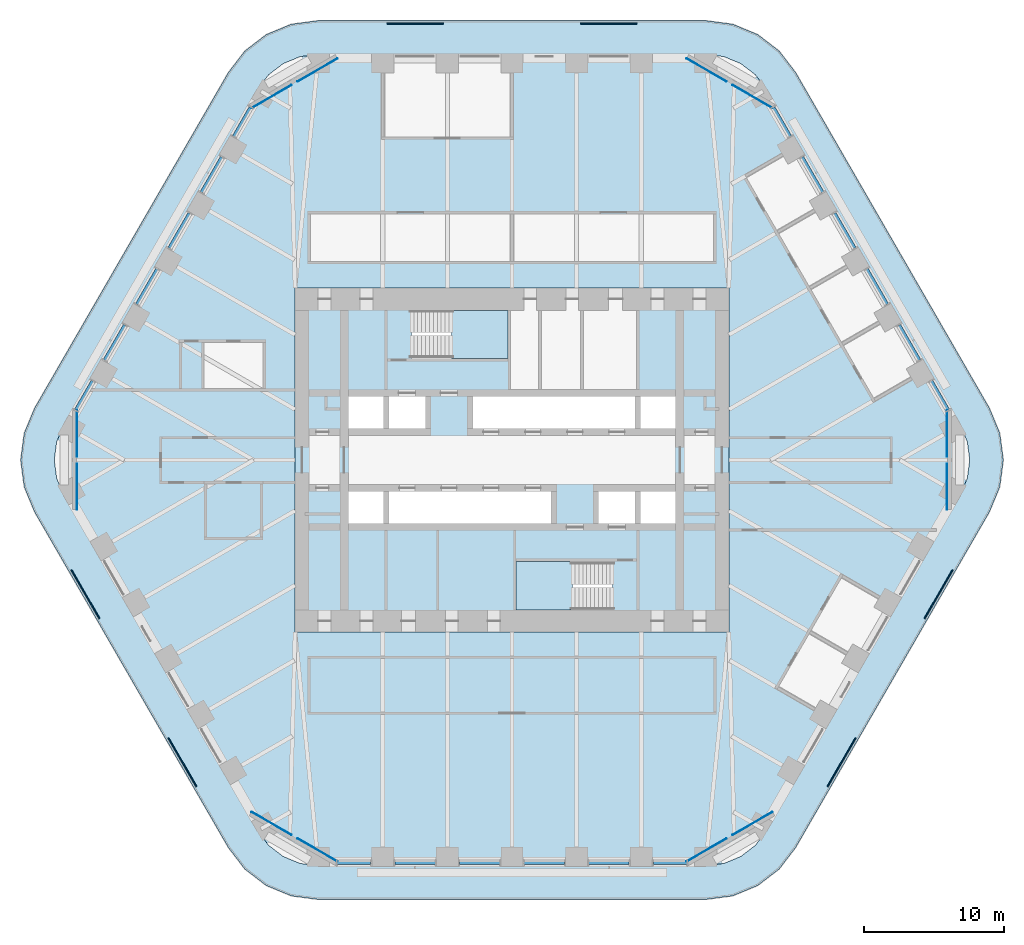
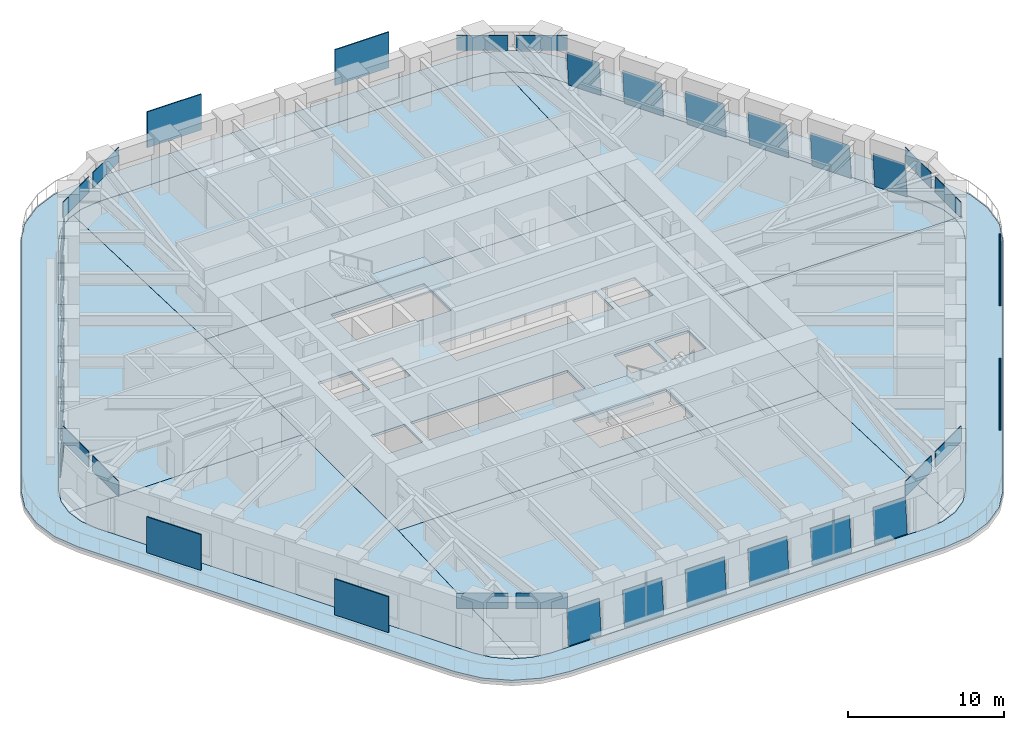
# One storey, part 13 of 20: 36 plates, 10 slabs, 20 elements without a shape of their own.
"""IFC4 building model written with IfcOpenShell, lengths in metres."""

from ifc_helpers import new_model, si_unit, direction, frame, origin, origin_2d, place, context, subcontext, project, spatial, polyline, rectangle, outline, extrude, material, layer, layer_set, type_object, element, aggregate, save


model = new_model("IFC4")

# Units and contexts
model_context = context("Model", 3, precision=1e-05, world=origin(), true_north=direction((0.0, 1.0)))
body_context = subcontext(model_context, "Body", "Model", "MODEL_VIEW")
ifc_project = project(units=[si_unit("LENGTHUNIT", "METRE"), si_unit("AREAUNIT", "SQUARE_METRE"), si_unit("VOLUMEUNIT", "CUBIC_METRE"), si_unit("PLANEANGLEUNIT", "RADIAN"), si_unit("MASSUNIT", "GRAM", prefix="KILO")], contexts=[model_context])

# Site, building, storey
site_placement = place(None, origin())
site = spatial("IfcSite", under=ifc_project, at=site_placement, CompositionType="ELEMENT")
building_placement = place(site_placement, origin())
building = spatial("IfcBuilding", under=site, at=building_placement, Name="Tarfa Lantern Tower", CompositionType="ELEMENT")
storey_placement = place(building_placement, frame((0.0, 0.0, 232.300048828125)))
storey = spatial("IfcBuildingStorey", under=building, at=storey_placement, Name="L52", CompositionType="ELEMENT", Elevation=232.300048828125)

# Slab
ifc_material_1 = material(Name="Concrete C40/50", Category="concrete")
ifc_layer_1 = layer(ifc_material_1, 0.199951171875)
ifc_layer_set_1 = layer_set([ifc_layer_1], Name="BS2 BALCONY SLAB 200")
slab_type_1 = type_object("IfcSlabType", Name="BS2 BALCONY SLAB 200", PredefinedType="FLOOR", material=ifc_layer_set_1)
slab_1_placement = place(storey_placement, frame((0.0, 0.0, -0.199951171875)))
element("IfcSlab", 1, at=slab_1_placement, inside=storey, type_object=slab_type_1, Name="Balcony L52", PredefinedType="FLOOR", context=body_context, shape_type="SweptSolid", body=[
    extrude(outline(polyline([(34.121337890625, 3.699951171875), (20.264892578125, 27.699951171875), (19.089111328125, 29.232666015625), (17.556396484375, 30.40869140625), (15.771728515625, 31.14794921875), (13.8564453125, 31.39990234375), (-13.8564453125, 31.39990234375), (-15.771728515625, 31.14794921875), (-17.556396484375, 30.40869140625), (-19.089111328125, 29.232666015625), (-20.264892578125, 27.699951171875), (-34.121337890625, 3.699951171875), (-34.860595703125, 1.915283203125), (-35.11279296875, 0.0), (-34.860595703125, -1.915283203125), (-34.121337890625, -3.699951171875), (-20.264892578125, -27.699951171875), (-19.089111328125, -29.232666015625), (-17.556396484375, -30.40869140625), (-15.771728515625, -31.14794921875), (-13.8564453125, -31.39990234375), (13.8564453125, -31.39990234375), (15.771728515625, -31.14794921875), (17.556396484375, -30.40869140625), (19.089111328125, -29.232666015625), (20.264892578125, -27.699951171875), (34.121337890625, -3.699951171875), (34.860595703125, -1.915283203125), (35.11279296875, 0.0), (34.860595703125, 1.915283203125), (34.121337890625, 3.699951171875)]), holes=[polyline([(32.04296875, 2.5), (18.1865234375, 26.5), (17.391845703125, 27.53564453125), (16.3564453125, 28.330078125), (15.150390625, 28.82958984375), (13.8564453125, 29.0), (-13.8564453125, 29.0), (-15.150390625, 28.82958984375), (-16.3564453125, 28.330078125), (-17.391845703125, 27.53564453125), (-18.1865234375, 26.5), (-32.04296875, 2.5), (-32.54248046875, 1.294189453125), (-32.712890625, 0.0), (-32.54248046875, -1.294189453125), (-32.04296875, -2.5), (-18.1865234375, -26.5), (-17.391845703125, -27.53564453125), (-16.3564453125, -28.330078125), (-15.150390625, -28.82958984375), (-13.8564453125, -29.0), (13.8564453125, -29.0), (15.150390625, -28.82958984375), (16.3564453125, -28.330078125), (17.391845703125, -27.53564453125), (18.1865234375, -26.5), (32.04296875, -2.5), (32.54248046875, -1.294189453125), (32.712890625, 0.0), (32.54248046875, 1.294189453125), (32.04296875, 2.5)])]), origin(), (0.0, 0.0, 1.0), 0.199951171875),
])

# Curtain wall, plate
ifc_material_2 = material(Name="Aluminium framed curtain wall", Category="aluminium")
curtain_wall_type = type_object("IfcCurtainWallType", Name="CW3 CANTED GLAZING HIGH ZONE 2800", PredefinedType="USERDEFINED", material=ifc_material_2)
curtain_wall_1_placement = place(storey_placement, origin())
curtain_wall_1 = element("IfcCurtainWall", 2, at=curtain_wall_1_placement, inside=storey, type_object=curtain_wall_type, Name="CW3 NE L52", ObjectType="CURTAIN WALL", PredefinedType="USERDEFINED")
ifc_material_3 = material(Name="Laminated double glazing", Category="glass")
ifc_layer_2 = layer(ifc_material_3, 0.028076171875)
ifc_layer_set_2 = layer_set([ifc_layer_2], Name="CWP1 DOUBLE GLAZED PANEL")
plate_type_1 = type_object("IfcPlateType", Name="CWP1 DOUBLE GLAZED PANEL", PredefinedType="CURTAIN_PANEL", material=ifc_layer_set_2)
plate_1_placement = place(storey_placement, frame((31.27392578125, 3.632080078125, 0.0), z_axis=(0.862590879632, 0.49802051907, 0.08895244213), x_axis=(-0.500002895388, 0.866023732116, 3.920695e-06)))
plate_1 = element("IfcPlate", 3, at=plate_1_placement, type_object=plate_type_1, Name="CW3 panel 1.1", PredefinedType="CURTAIN_PANEL", context=body_context, shape_type="SweptSolid", body=[
    extrude(outline(polyline([(0.0, 0.0), (2.3889646662805304, 0.0), (2.388973104018276, 2.7457383666587645), (0.00013050875712717534, 2.7457571735370183), (0.0, 0.0)])), origin(), (0.0, 0.0, -1.0), 0.028076171875),
])
aggregate(curtain_wall_1, [plate_1])

curtain_wall_2_placement = place(storey_placement, origin())
curtain_wall_2 = element("IfcCurtainWall", 4, at=curtain_wall_2_placement, inside=storey, type_object=curtain_wall_type, Name="CW3 NE L52", ObjectType="CURTAIN WALL", PredefinedType="USERDEFINED")
plate_2_placement = place(storey_placement, frame((29.21435546875, 7.19921875, 0.0), z_axis=(0.862608084862, 0.497993601371, 0.088936296998), x_axis=(-0.499974988357, 0.86603984378, 1.871581e-06)))
plate_2 = element("IfcPlate", 5, at=plate_2_placement, type_object=plate_type_1, Name="CW3 panel 1.1", PredefinedType="CURTAIN_PANEL", context=body_context, shape_type="SweptSolid", body=[
    extrude(outline(polyline([(0.0, 0.0), (2.8887115015454805, 0.0), (2.888706468215615, 2.745738368013193), (-0.0002164688386004309, 2.745749224345834), (0.0, 0.0)])), origin(), (0.0, 0.0, -1.0), 0.028076171875),
])
aggregate(curtain_wall_2, [plate_2])

curtain_wall_3_placement = place(storey_placement, origin())
curtain_wall_3 = element("IfcCurtainWall", 6, at=curtain_wall_3_placement, inside=storey, type_object=curtain_wall_type, Name="CW3 NE L52", ObjectType="CURTAIN WALL", PredefinedType="USERDEFINED")
plate_3_placement = place(storey_placement, frame((26.905029296875, 11.19921875, 0.0), z_axis=(0.862608084862, 0.497993601371, 0.088936296998), x_axis=(-0.499974988357, 0.86603984378, 1.871581e-06)))
plate_3 = element("IfcPlate", 7, at=plate_3_placement, type_object=plate_type_1, Name="CW3 panel 1.1", PredefinedType="CURTAIN_PANEL", context=body_context, shape_type="SweptSolid", body=[
    extrude(outline(polyline([(0.0, 0.0), (2.8887115015454805, 0.0), (2.888706468215615, 2.745738368013193), (-0.0002164688386004309, 2.745749224345834), (0.0, 0.0)])), origin(), (0.0, 0.0, -1.0), 0.028076171875),
])
aggregate(curtain_wall_3, [plate_3])

curtain_wall_4_placement = place(storey_placement, origin())
curtain_wall_4 = element("IfcCurtainWall", 8, at=curtain_wall_4_placement, inside=storey, type_object=curtain_wall_type, Name="CW3 NE L52", ObjectType="CURTAIN WALL", PredefinedType="USERDEFINED")
plate_4_placement = place(storey_placement, frame((24.595703125, 15.19921875, 0.0), z_axis=(0.862586905926, 0.498023462202, 0.088974495342), x_axis=(-0.500006931538, 0.866021401807, 5.115485e-06)))
plate_4 = element("IfcPlate", 9, at=plate_4_placement, type_object=plate_type_1, Name="CW3 panel 1.1", PredefinedType="CURTAIN_PANEL", context=body_context, shape_type="SweptSolid", body=[
    extrude(outline(polyline([(0.0, 0.0), (2.8888335737858446, 0.0), (2.8888464169192525, 2.7457383636373036), (-7.651586812238804e-05, 2.7457680373547113), (0.0, 0.0)])), origin(), (0.0, 0.0, -1.0), 0.028076171875),
])
aggregate(curtain_wall_4, [plate_4])

curtain_wall_5_placement = place(storey_placement, origin())
curtain_wall_5 = element("IfcCurtainWall", 10, at=curtain_wall_5_placement, inside=storey, type_object=curtain_wall_type, Name="CW3 NE L52", ObjectType="CURTAIN WALL", PredefinedType="USERDEFINED")
plate_5_placement = place(storey_placement, frame((22.2861328125, 19.19921875, 0.0), z_axis=(0.862608084862, 0.497993601371, 0.088936296998), x_axis=(-0.499974988357, 0.86603984378, 1.871581e-06)))
plate_5 = element("IfcPlate", 11, at=plate_5_placement, type_object=plate_type_1, Name="CW3 panel 1.1", PredefinedType="CURTAIN_PANEL", context=body_context, shape_type="SweptSolid", body=[
    extrude(outline(polyline([(0.0, 0.0), (2.8887115015454805, 0.0), (2.888706468215615, 2.745738368013193), (-0.0002164688386004309, 2.745749224345834), (0.0, 0.0)])), origin(), (0.0, 0.0, -1.0), 0.028076171875),
])
aggregate(curtain_wall_5, [plate_5])

curtain_wall_6_placement = place(storey_placement, origin())
curtain_wall_6 = element("IfcCurtainWall", 12, at=curtain_wall_6_placement, inside=storey, type_object=curtain_wall_type, Name="CW3 NE L52", ObjectType="CURTAIN WALL", PredefinedType="USERDEFINED")
plate_6_placement = place(storey_placement, frame((19.976806640625, 23.19921875, 0.0), z_axis=(0.862601443295, 0.498005105399, 0.088936297549), x_axis=(-0.499986568481, 0.866033158334, 2.263465e-06)))
plate_6 = element("IfcPlate", 13, at=plate_6_placement, type_object=plate_type_1, Name="CW3 panel 1.1", PredefinedType="CURTAIN_PANEL", context=body_context, shape_type="SweptSolid", body=[
    extrude(outline(polyline([(0.0, 0.0), (2.38863116298111, 0.0), (2.38863046583102, 2.745738368017687), (-0.0002121310266364455, 2.74574922468436), (0.0, 0.0)])), origin(), (0.0, 0.0, -1.0), 0.028076171875),
])
aggregate(curtain_wall_6, [plate_6])

curtain_wall_7_placement = place(storey_placement, origin())
curtain_wall_7 = element("IfcCurtainWall", 14, at=curtain_wall_7_placement, inside=storey, type_object=curtain_wall_type, Name="CW3 NW L52", ObjectType="CURTAIN WALL", PredefinedType="USERDEFINED")
plate_7_placement = place(storey_placement, frame((-18.782470703125, 25.267822265625, 0.0), z_axis=(-0.862601443295, 0.498005105399, 0.088936297549), x_axis=(-0.499986568481, -0.866033158334, -2.263465e-06)))
plate_7 = element("IfcPlate", 15, at=plate_7_placement, type_object=plate_type_1, Name="CW3 panel 1.1", PredefinedType="CURTAIN_PANEL", context=body_context, shape_type="SweptSolid", body=[
    extrude(outline(polyline([(0.0, 0.0), (2.38863116298111, 0.0), (2.3888432940077466, 2.74574922468436), (6.971500900574846e-07, 2.745738368017687), (0.0, 0.0)])), origin(), (0.0, 0.0, -1.0), 0.028076171875),
])
aggregate(curtain_wall_7, [plate_7])

curtain_wall_8_placement = place(storey_placement, origin())
curtain_wall_8 = element("IfcCurtainWall", 16, at=curtain_wall_8_placement, inside=storey, type_object=curtain_wall_type, Name="CW3 NW L52", ObjectType="CURTAIN WALL", PredefinedType="USERDEFINED")
plate_8_placement = place(storey_placement, frame((-20.841796875, 21.700927734375, 0.0), z_axis=(-0.862608084862, 0.497993601371, 0.088936296998), x_axis=(-0.499974988357, -0.86603984378, -1.871581e-06)))
plate_8 = element("IfcPlate", 17, at=plate_8_placement, type_object=plate_type_1, Name="CW3 panel 1.1", PredefinedType="CURTAIN_PANEL", context=body_context, shape_type="SweptSolid", body=[
    extrude(outline(polyline([(0.0, 0.0), (2.8887115015454805, 0.0), (2.8889279703840813, 2.745749224345834), (5.03332986517272e-06, 2.745738368013193), (0.0, 0.0)])), origin(), (0.0, 0.0, -1.0), 0.028076171875),
])
aggregate(curtain_wall_8, [plate_8])

curtain_wall_9_placement = place(storey_placement, origin())
curtain_wall_9 = element("IfcCurtainWall", 18, at=curtain_wall_9_placement, inside=storey, type_object=curtain_wall_type, Name="CW3 NW L52", ObjectType="CURTAIN WALL", PredefinedType="USERDEFINED")
plate_9_placement = place(storey_placement, frame((-23.151123046875, 17.700927734375, 0.0), z_axis=(-0.862586905926, 0.498023462202, 0.088974495342), x_axis=(-0.500006931538, -0.866021401807, -5.115485e-06)))
plate_9 = element("IfcPlate", 19, at=plate_9_placement, type_object=plate_type_1, Name="CW3 panel 1.1", PredefinedType="CURTAIN_PANEL", context=body_context, shape_type="SweptSolid", body=[
    extrude(outline(polyline([(0.0, 0.0), (2.8888335737858446, 0.0), (2.8889100896539666, 2.7457680373547113), (-1.284313340832914e-05, 2.745738363637304), (0.0, 0.0)])), origin(), (0.0, 0.0, -1.0), 0.028076171875),
])
aggregate(curtain_wall_9, [plate_9])

curtain_wall_10_placement = place(storey_placement, origin())
curtain_wall_10 = element("IfcCurtainWall", 20, at=curtain_wall_10_placement, inside=storey, type_object=curtain_wall_type, Name="CW3 NW L52", ObjectType="CURTAIN WALL", PredefinedType="USERDEFINED")
plate_10_placement = place(storey_placement, frame((-25.460693359375, 13.700927734375, 0.0), z_axis=(-0.862608084862, 0.497993601371, 0.088936296998), x_axis=(-0.499974988357, -0.86603984378, -1.871581e-06)))
plate_10 = element("IfcPlate", 21, at=plate_10_placement, type_object=plate_type_1, Name="CW3 panel 1.1", PredefinedType="CURTAIN_PANEL", context=body_context, shape_type="SweptSolid", body=[
    extrude(outline(polyline([(0.0, 0.0), (2.8887115015454805, 0.0), (2.8889279703840813, 2.745749224345834), (5.03332986517272e-06, 2.745738368013193), (0.0, 0.0)])), origin(), (0.0, 0.0, -1.0), 0.028076171875),
])
aggregate(curtain_wall_10, [plate_10])

curtain_wall_11_placement = place(storey_placement, origin())
curtain_wall_11 = element("IfcCurtainWall", 22, at=curtain_wall_11_placement, inside=storey, type_object=curtain_wall_type, Name="CW3 NW L52", ObjectType="CURTAIN WALL", PredefinedType="USERDEFINED")
plate_11_placement = place(storey_placement, frame((-27.77001953125, 9.700927734375, 0.0), z_axis=(-0.862608084862, 0.497993601371, 0.088936296998), x_axis=(-0.499974988357, -0.86603984378, -1.871581e-06)))
plate_11 = element("IfcPlate", 23, at=plate_11_placement, type_object=plate_type_1, Name="CW3 panel 1.1", PredefinedType="CURTAIN_PANEL", context=body_context, shape_type="SweptSolid", body=[
    extrude(outline(polyline([(0.0, 0.0), (2.8887115015454805, 0.0), (2.8889279703840813, 2.745749224345834), (5.03332986517272e-06, 2.745738368013193), (0.0, 0.0)])), origin(), (0.0, 0.0, -1.0), 0.028076171875),
])
aggregate(curtain_wall_11, [plate_11])

curtain_wall_12_placement = place(storey_placement, origin())
curtain_wall_12 = element("IfcCurtainWall", 24, at=curtain_wall_12_placement, inside=storey, type_object=curtain_wall_type, Name="CW3 NW L52", ObjectType="CURTAIN WALL", PredefinedType="USERDEFINED")
plate_12_placement = place(storey_placement, frame((-30.079345703125, 5.700927734375, 0.0), z_axis=(-0.862590879632, 0.49802051907, 0.08895244213), x_axis=(-0.500002895388, -0.866023732116, -3.920695e-06)))
plate_12 = element("IfcPlate", 25, at=plate_12_placement, type_object=plate_type_1, Name="CW3 panel 1.1", PredefinedType="CURTAIN_PANEL", context=body_context, shape_type="SweptSolid", body=[
    extrude(outline(polyline([(0.0, 0.0), (2.3889646662805304, 0.0), (2.3888341575234033, 2.7457571735370183), (-8.437737745427776e-06, 2.7457383666587645), (0.0, 0.0)])), origin(), (0.0, 0.0, -1.0), 0.028076171875),
])
aggregate(curtain_wall_12, [plate_12])

curtain_wall_13_placement = place(storey_placement, origin())
curtain_wall_13 = element("IfcCurtainWall", 26, at=curtain_wall_13_placement, inside=storey, type_object=curtain_wall_type, Name="CW3 S L52", ObjectType="CURTAIN WALL", PredefinedType="USERDEFINED")
plate_13_placement = place(storey_placement, frame((-12.491455078125, -28.89990234375, 0.0), z_axis=(0.0, -0.996039111646, 0.08891618565), x_axis=(1.0, 0.0, 0.0)))
plate_13 = element("IfcPlate", 27, at=plate_13_placement, type_object=plate_type_1, Name="CW3 panel 1.1", PredefinedType="CURTAIN_PANEL", context=body_context, shape_type="SweptSolid", body=[
    extrude(outline(polyline([(0.0, 0.0), (2.388916015625, 0.0), (2.388916015625, 2.74573884626796), (0.0, 2.74573884626796), (0.0, 0.0)])), origin(), (0.0, 0.0, -1.0), 0.028076171875),
])
aggregate(curtain_wall_13, [plate_13])

curtain_wall_14_placement = place(storey_placement, origin())
curtain_wall_14 = element("IfcCurtainWall", 28, at=curtain_wall_14_placement, inside=storey, type_object=curtain_wall_type, Name="CW3 S L52", ObjectType="CURTAIN WALL", PredefinedType="USERDEFINED")
plate_14_placement = place(storey_placement, frame((-8.37255859375, -28.89990234375, 0.0), z_axis=(0.0, -0.996039111646, 0.08891618565), x_axis=(1.0, 0.0, 0.0)))
plate_14 = element("IfcPlate", 29, at=plate_14_placement, type_object=plate_type_1, Name="CW3 panel 1.1", PredefinedType="CURTAIN_PANEL", context=body_context, shape_type="SweptSolid", body=[
    extrude(outline(polyline([(0.0, 0.0), (2.888671875, 0.0), (2.888671875, 2.74573884626796), (0.0, 2.74573884626796), (0.0, 0.0)])), origin(), (0.0, 0.0, -1.0), 0.028076171875),
])
aggregate(curtain_wall_14, [plate_14])

curtain_wall_15_placement = place(storey_placement, origin())
curtain_wall_15 = element("IfcCurtainWall", 30, at=curtain_wall_15_placement, inside=storey, type_object=curtain_wall_type, Name="CW3 S L52", ObjectType="CURTAIN WALL", PredefinedType="USERDEFINED")
plate_15_placement = place(storey_placement, frame((-3.75390625, -28.89990234375, 0.0), z_axis=(0.0, -0.996039111646, 0.08891618565), x_axis=(1.0, 0.0, 0.0)))
plate_15 = element("IfcPlate", 31, at=plate_15_placement, type_object=plate_type_1, Name="CW3 panel 1.1", PredefinedType="CURTAIN_PANEL", context=body_context, shape_type="SweptSolid", body=[
    extrude(outline(polyline([(0.0, 0.0), (2.888916015625, 0.0), (2.888916015625, 2.74573884626796), (0.0, 2.74573884626796), (0.0, 0.0)])), origin(), (0.0, 0.0, -1.0), 0.028076171875),
])
aggregate(curtain_wall_15, [plate_15])

curtain_wall_16_placement = place(storey_placement, origin())
curtain_wall_16 = element("IfcCurtainWall", 32, at=curtain_wall_16_placement, inside=storey, type_object=curtain_wall_type, Name="CW3 S L52", ObjectType="CURTAIN WALL", PredefinedType="USERDEFINED")
plate_16_placement = place(storey_placement, frame((0.864990234375, -28.89990234375, 0.0), z_axis=(0.0, -0.996039111646, 0.08891618565), x_axis=(1.0, 0.0, 0.0)))
plate_16 = element("IfcPlate", 33, at=plate_16_placement, type_object=plate_type_1, Name="CW3 panel 1.1", PredefinedType="CURTAIN_PANEL", context=body_context, shape_type="SweptSolid", body=[
    extrude(outline(polyline([(0.0, 0.0), (2.888916015625, 0.0), (2.888916015625, 2.74573884626796), (0.0, 2.74573884626796), (0.0, 0.0)])), origin(), (0.0, 0.0, -1.0), 0.028076171875),
])
aggregate(curtain_wall_16, [plate_16])

curtain_wall_17_placement = place(storey_placement, origin())
curtain_wall_17 = element("IfcCurtainWall", 34, at=curtain_wall_17_placement, inside=storey, type_object=curtain_wall_type, Name="CW3 S L52", ObjectType="CURTAIN WALL", PredefinedType="USERDEFINED")
plate_17_placement = place(storey_placement, frame((5.48388671875, -28.89990234375, 0.0), z_axis=(0.0, -0.996039111646, 0.08891618565), x_axis=(1.0, 0.0, 0.0)))
plate_17 = element("IfcPlate", 35, at=plate_17_placement, type_object=plate_type_1, Name="CW3 panel 1.1", PredefinedType="CURTAIN_PANEL", context=body_context, shape_type="SweptSolid", body=[
    extrude(outline(polyline([(0.0, 0.0), (2.888671875, 0.0), (2.888671875, 2.74573884626796), (0.0, 2.74573884626796), (0.0, 0.0)])), origin(), (0.0, 0.0, -1.0), 0.028076171875),
])
aggregate(curtain_wall_17, [plate_17])

curtain_wall_18_placement = place(storey_placement, origin())
curtain_wall_18 = element("IfcCurtainWall", 36, at=curtain_wall_18_placement, inside=storey, type_object=curtain_wall_type, Name="CW3 S L52", ObjectType="CURTAIN WALL", PredefinedType="USERDEFINED")
plate_18_placement = place(storey_placement, frame((10.1025390625, -28.89990234375, 0.0), z_axis=(0.0, -0.996039111646, 0.08891618565), x_axis=(1.0, 0.0, 0.0)))
plate_18 = element("IfcPlate", 37, at=plate_18_placement, type_object=plate_type_1, Name="CW3 panel 1.1", PredefinedType="CURTAIN_PANEL", context=body_context, shape_type="SweptSolid", body=[
    extrude(outline(polyline([(0.0, 0.0), (2.388916015625, 0.0), (2.388916015625, 2.74573884626796), (0.0, 2.74573884626796), (0.0, 0.0)])), origin(), (0.0, 0.0, -1.0), 0.028076171875),
])
aggregate(curtain_wall_18, [plate_18])

# Slabs
ifc_layer_3 = layer(ifc_material_1, 0.199951171875)
ifc_layer_set_3 = layer_set([ifc_layer_3], Name="FS1 FLOOR SLAB 200")
slab_type_2 = type_object("IfcSlabType", Name="FS1 FLOOR SLAB 200", PredefinedType="FLOOR", material=ifc_layer_set_3)
slab_2_placement = place(storey_placement, frame((0.0, 0.0, -0.199951171875)))
element("IfcSlab", 38, at=slab_2_placement, inside=storey, type_object=slab_type_2, Name="Floor slab L52", PredefinedType="FLOOR", context=body_context, shape_type="SweptSolid", body=[
    extrude(outline(polyline([(-15.5, -12.300048828125), (15.5, -12.300048828125), (15.5, 12.300048828125), (-15.5, 12.300048828125), (-15.5, -12.300048828125)]), holes=[polyline([(-11.699951171875, 2.25), (-9.199951171875, 2.25), (-9.199951171875, 4.550048828125), (-11.699951171875, 4.550048828125), (-11.699951171875, 2.25)]), polyline([(-8.800048828125, 2.25), (-6.199951171875, 2.25), (-6.199951171875, 4.550048828125), (-8.800048828125, 4.550048828125), (-8.800048828125, 2.25)]), polyline([(-2.800048828125, 2.25), (8.800048828125, 2.25), (8.800048828125, 4.550048828125), (-2.800048828125, 4.550048828125), (-2.800048828125, 2.25)]), polyline([(9.199951171875, 2.25), (11.699951171875, 2.25), (11.699951171875, 4.550048828125), (9.199951171875, 4.550048828125), (9.199951171875, 2.25)]), polyline([(11.699951171875, -2.25), (9.199951171875, -2.25), (9.199951171875, -4.550048828125), (11.699951171875, -4.550048828125), (11.699951171875, -2.25)]), polyline([(8.800048828125, -2.25), (6.199951171875, -2.25), (6.199951171875, -4.550048828125), (8.800048828125, -4.550048828125), (8.800048828125, -2.25)]), polyline([(2.800048828125, -2.25), (-8.800048828125, -2.25), (-8.800048828125, -4.550048828125), (2.800048828125, -4.550048828125), (2.800048828125, -2.25)]), polyline([(-9.199951171875, -2.25), (-11.699951171875, -2.25), (-11.699951171875, -4.550048828125), (-9.199951171875, -4.550048828125), (-9.199951171875, -2.25)]), polyline([(-7.199951171875, 7.25), (-0.300048828125, 7.25), (-0.300048828125, 10.699951171875), (-7.199951171875, 10.699951171875), (-7.199951171875, 7.25)]), polyline([(7.199951171875, -7.25), (0.300048828125, -7.25), (0.300048828125, -10.699951171875), (7.199951171875, -10.699951171875), (7.199951171875, -7.25)])]), origin(), (0.0, 0.0, 1.0), 0.199951171875),
])
slab_3_placement = place(storey_placement, frame((0.0, 0.0, -0.199951171875)))
element("IfcSlab", 39, at=slab_3_placement, inside=storey, type_object=slab_type_2, Name="Floor slab L52 NE bay", PredefinedType="FLOOR", context=body_context, shape_type="SweptSolid", body=[
    extrude(outline(polyline([(32.041259765625, 2.4990234375), (18.184814453125, 26.498779296875), (17.390625, 27.5341796875), (16.35546875, 28.328369140625), (15.927490234375, 28.505615234375), (15.501953125, 12.300048828125), (15.501953125, 0.001953125), (32.71044921875, 0.001953125), (32.54052734375, 1.29345703125), (32.041259765625, 2.4990234375)])), origin(), (0.0, 0.0, 1.0), 0.199951171875),
])
slab_4_placement = place(storey_placement, frame((0.0, 0.0, -0.199951171875)))
element("IfcSlab", 40, at=slab_4_placement, inside=storey, type_object=slab_type_2, Name="Floor slab L52 N bay", PredefinedType="FLOOR", context=body_context, shape_type="SweptSolid", body=[
    extrude(outline(polyline([(-15.498046875, 12.302001953125), (15.498046875, 12.302001953125), (15.923583984375, 28.50732421875), (15.14990234375, 28.82763671875), (13.856201171875, 28.998046875), (-13.856201171875, 28.998046875), (-15.14990234375, 28.82763671875), (-15.923583984375, 28.50732421875), (-15.498046875, 12.302001953125)])), origin(), (0.0, 0.0, 1.0), 0.199951171875),
])
slab_5_placement = place(storey_placement, frame((0.0, 0.0, -0.199951171875)))
element("IfcSlab", 41, at=slab_5_placement, inside=storey, type_object=slab_type_2, Name="Floor slab L52 NW bay", PredefinedType="FLOOR", context=body_context, shape_type="SweptSolid", body=[
    extrude(outline(polyline([(-15.501953125, 0.001953125), (-15.501953125, 12.300048828125), (-15.927490234375, 28.505615234375), (-16.35546875, 28.328369140625), (-17.390625, 27.5341796875), (-18.184814453125, 26.498779296875), (-32.041259765625, 2.4990234375), (-32.54052734375, 1.29345703125), (-32.71044921875, 0.001953125), (-15.501953125, 0.001953125)])), origin(), (0.0, 0.0, 1.0), 0.199951171875),
])
slab_6_placement = place(storey_placement, frame((0.0, 0.0, -0.199951171875)))
element("IfcSlab", 42, at=slab_6_placement, inside=storey, type_object=slab_type_2, Name="Floor slab L52 SW bay", PredefinedType="FLOOR", context=body_context, shape_type="SweptSolid", body=[
    extrude(outline(polyline([(-15.501953125, -12.300048828125), (-15.501953125, -0.001953125), (-32.71044921875, -0.001953125), (-32.54052734375, -1.29345703125), (-32.041259765625, -2.4990234375), (-18.184814453125, -26.498779296875), (-17.390625, -27.5341796875), (-16.35546875, -28.328369140625), (-15.927490234375, -28.505615234375), (-15.501953125, -12.300048828125)])), origin(), (0.0, 0.0, 1.0), 0.199951171875),
])
slab_7_placement = place(storey_placement, frame((0.0, 0.0, -0.199951171875)))
element("IfcSlab", 43, at=slab_7_placement, inside=storey, type_object=slab_type_2, Name="Floor slab L52 S bay", PredefinedType="FLOOR", context=body_context, shape_type="SweptSolid", body=[
    extrude(outline(polyline([(15.498046875, -12.302001953125), (-15.498046875, -12.302001953125), (-15.923583984375, -28.50732421875), (-15.14990234375, -28.82763671875), (-13.856201171875, -28.998046875), (13.856201171875, -28.998046875), (15.14990234375, -28.82763671875), (15.923583984375, -28.50732421875), (15.498046875, -12.302001953125)])), origin(), (0.0, 0.0, 1.0), 0.199951171875),
])
slab_8_placement = place(storey_placement, frame((0.0, 0.0, -0.199951171875)))
element("IfcSlab", 44, at=slab_8_placement, inside=storey, type_object=slab_type_2, Name="Floor slab L52 SE bay", PredefinedType="FLOOR", context=body_context, shape_type="SweptSolid", body=[
    extrude(outline(polyline([(15.501953125, -0.001953125), (15.501953125, -12.300048828125), (15.927490234375, -28.505615234375), (16.35546875, -28.328369140625), (17.390625, -27.5341796875), (18.184814453125, -26.498779296875), (32.041259765625, -2.4990234375), (32.54052734375, -1.29345703125), (32.71044921875, -0.001953125), (15.501953125, -0.001953125)])), origin(), (0.0, 0.0, 1.0), 0.199951171875),
])

# Plates
ifc_material_4 = material(Name="Aluminium fascia panel", Category="aluminium")
ifc_layer_4 = layer(ifc_material_4, 0.050048828125)
ifc_layer_set_4 = layer_set([ifc_layer_4], Name="LF1 LOGGIA HEAD FASCIA 50")
plate_type_2 = type_object("IfcPlateType", Name="LF1 LOGGIA HEAD FASCIA 50", PredefinedType="USERDEFINED", material=ifc_layer_set_4)
for number, where, z_axis, x_axis, name in (
    (45, (17.18994140625, 25.972900390625, 2.7998046875), (0.0, 0.0, 1.0), (-0.866025403784, 0.5, 0.0), "Garden head fascia NE-N"),
    (46, (13.898193359375, 27.873291015625, 2.7998046875), (0.0, 0.0, 1.0), (-0.866025403784, 0.5, 0.0), "Garden head fascia NE-N"),
    (47, (-13.898193359375, 27.873291015625, 2.7998046875), (0.0, 0.0, 1.0), (-0.866025403784, -0.5, 0.0), "Garden head fascia N-NW"),
    (48, (-17.18994140625, 25.972900390625, 2.7998046875), (0.0, 0.0, 1.0), (-0.866025403784, -0.5, 0.0), "Garden head fascia N-NW"),
    (49, (-31.088134765625, 1.900390625, 2.7998046875), (0.0, 0.0, 1.0), (0.0, -1.0, 0.0), "Garden head fascia NW-SW"),
    (50, (-31.088134765625, -1.900390625, 2.7998046875), (0.0, 0.0, 1.0), (0.0, -1.0, 0.0), "Garden head fascia NW-SW"),
    (51, (-17.18994140625, -25.972900390625, 2.7998046875), (0.0, 0.0, 1.0), (0.866025403784, -0.5, 0.0), "Garden head fascia SW-S"),
    (52, (-13.898193359375, -27.873291015625, 2.7998046875), (0.0, 0.0, 1.0), (0.866025403784, -0.5, 0.0), "Garden head fascia SW-S"),
    (53, (13.898193359375, -27.873291015625, 2.7998046875), (0.0, 0.0, 1.0), (0.866025403784, 0.5, 0.0), "Garden head fascia S-SE"),
    (54, (17.18994140625, -25.972900390625, 2.7998046875), (0.0, 0.0, 1.0), (0.866025403784, 0.5, 0.0), "Garden head fascia S-SE"),
    (55, (31.088134765625, -1.900390625, 2.7998046875), (0.0, 0.0, 1.0), (0.0, 1.0, 0.0), "Garden head fascia SE-NE"),
    (56, (31.088134765625, 1.900390625, 2.7998046875), (0.0, 0.0, 1.0), (0.0, 1.0, 0.0), "Garden head fascia SE-NE"),
):
    element("IfcPlate", number, at=place(storey_placement, frame(where, z_axis=z_axis, x_axis=x_axis)), inside=storey, type_object=plate_type_2, Name=name, ObjectType="FASCIA", PredefinedType="USERDEFINED", context=body_context, shape_type="SweptSolid", body=[
        extrude(rectangle(XDim=3.30078125, YDim=0.050048828125, at=origin_2d()), origin(), (0.0, 0.0, 1.0), 1.199951171875),
    ])
ifc_material_5 = material(Name="Perforated limestone screen", Category="masonry")
ifc_layer_5 = layer(ifc_material_5, 0.080078125)
ifc_layer_set_5 = layer_set([ifc_layer_5], Name="SC1 STONE SCREEN 80")
plate_type_3 = type_object("IfcPlateType", Name="SC1 STONE SCREEN 80", PredefinedType="USERDEFINED", material=ifc_layer_set_5)
for number, where, z_axis, x_axis, name in (
    (57, (6.92822265625, 31.199951171875, 1.19970703125), (0.0, 0.0, 1.0), (-1.0, 0.0, 0.0), "Stone screen N 1"),
    (58, (-6.92822265625, 31.199951171875, 1.19970703125), (0.0, 0.0, 1.0), (-1.0, 0.0, 0.0), "Stone screen N 2"),
    (59, (-30.484130859375, -9.60009765625, 1.19970703125), (0.0, 0.0, 1.0), (0.5, -0.866025403784, 0.0), "Stone screen SW 1"),
    (60, (-23.555908203125, -21.60009765625, 1.19970703125), (0.0, 0.0, 1.0), (0.5, -0.866025403784, 0.0), "Stone screen SW 2"),
    (61, (23.555908203125, -21.60009765625, 1.19970703125), (0.0, 0.0, 1.0), (0.5, 0.866025403784, 0.0), "Stone screen SE 1"),
    (62, (30.484130859375, -9.60009765625, 1.19970703125), (0.0, 0.0, 1.0), (0.5, 0.866025403784, 0.0), "Stone screen SE 2"),
):
    element("IfcPlate", number, at=place(storey_placement, frame(where, z_axis=z_axis, x_axis=x_axis)), inside=storey, type_object=plate_type_3, Name=name, ObjectType="SCREEN", PredefinedType="USERDEFINED", context=body_context, shape_type="SweptSolid", body=[
        extrude(rectangle(XDim=4.0, YDim=0.080078125, at=origin_2d()), origin(), (0.0, 0.0, 1.0), 2.800048828125),
    ])

# Stair, slab
stair_type = type_object("IfcStairType", Name="ST-T10 HALF-TURN STAIR 4200 RISE", PredefinedType="HALF_TURN_STAIR", material=ifc_material_1)
stair_1_placement = place(storey_placement, origin())
stair_1 = element("IfcStair", 63, at=stair_1_placement, inside=storey, type_object=stair_type, Name="Stair ST1", PredefinedType="HALF_TURN_STAIR")
ifc_layer_6 = layer(ifc_material_1, 0.199951171875)
ifc_layer_set_6 = layer_set([ifc_layer_6], Name="SL1 STAIR LANDING 200")
slab_type_3 = type_object("IfcSlabType", Name="SL1 STAIR LANDING 200", PredefinedType="LANDING", material=ifc_layer_set_6)
slab_9_placement = place(storey_placement, frame((0.0, 0.0, 1.89990234375)))
slab_9 = element("IfcSlab", 64, at=slab_9_placement, type_object=slab_type_3, Name="ST1 landing 1", PredefinedType="LANDING", context=body_context, shape_type="SweptSolid", body=[
    extrude(outline(polyline([(-4.320068359375, 7.25), (-0.300048828125, 7.25), (-0.300048828125, 10.699951171875), (-4.320068359375, 10.699951171875), (-4.320068359375, 7.25)])), origin(), (0.0, 0.0, 1.0), 0.199951171875),
])
aggregate(stair_1, [slab_9])

stair_2_placement = place(storey_placement, origin())
stair_2 = element("IfcStair", 65, at=stair_2_placement, inside=storey, type_object=stair_type, Name="Stair ST2", PredefinedType="HALF_TURN_STAIR")
slab_10_placement = place(storey_placement, frame((0.0, 0.0, 1.89990234375)))
slab_10 = element("IfcSlab", 66, at=slab_10_placement, type_object=slab_type_3, Name="ST2 landing 1", PredefinedType="LANDING", context=body_context, shape_type="SweptSolid", body=[
    extrude(outline(polyline([(4.320068359375, -7.25), (0.300048828125, -7.25), (0.300048828125, -10.699951171875), (4.320068359375, -10.699951171875), (4.320068359375, -7.25)])), origin(), (0.0, 0.0, 1.0), 0.199951171875),
])
aggregate(stair_2, [slab_10])

save(model, "model.ifc")
